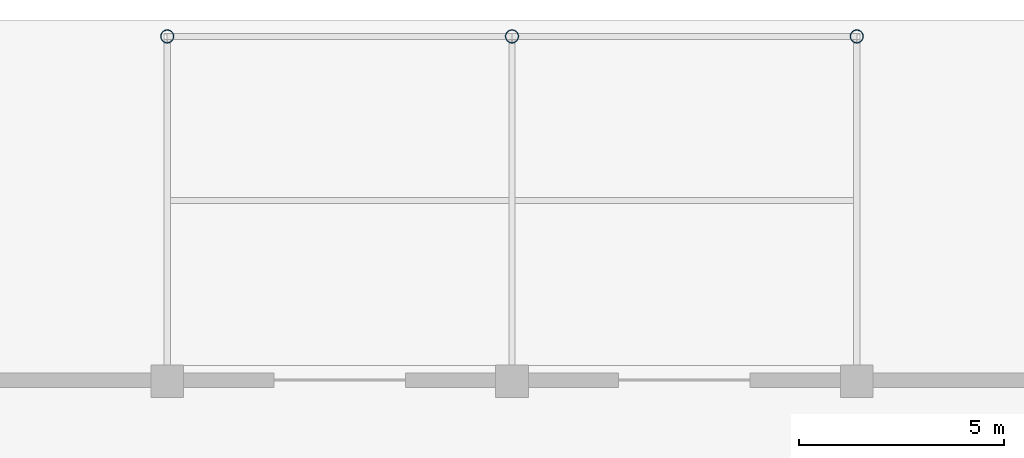
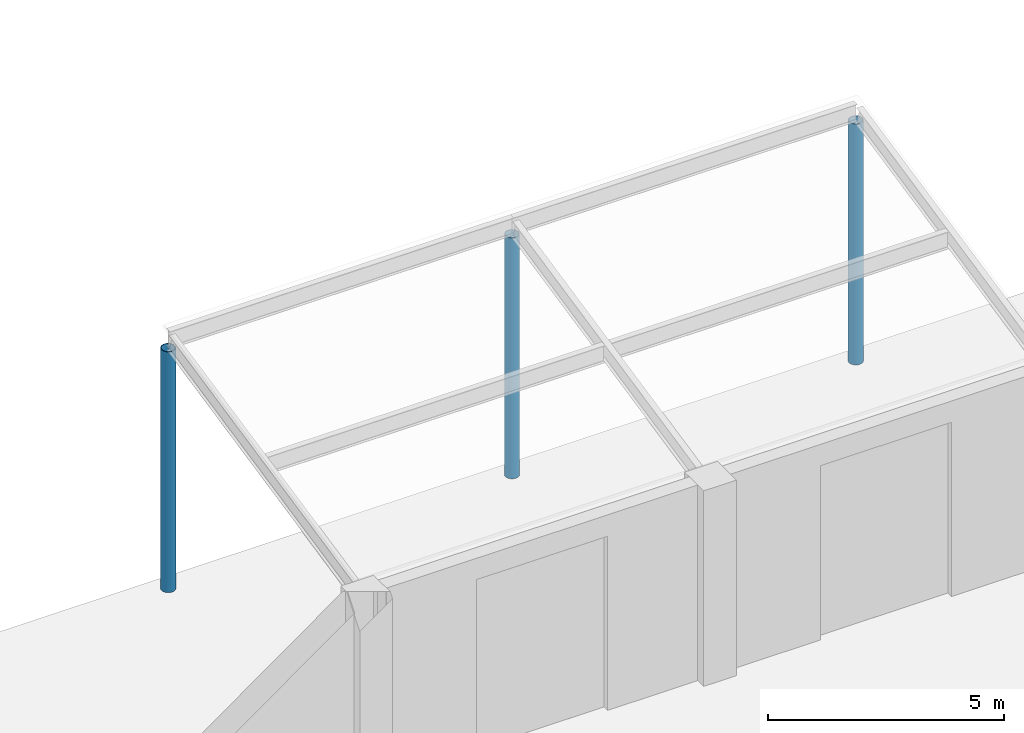
# One storey, part 12 of 76: 3 columns.
"""IFC4 building model written with IfcOpenShell, lengths in metres."""

from ifc_helpers import new_model, si_unit, direction, frame, origin, origin_2d, place, context, subcontext, project, spatial, hollow_circle, extrude, material, material_profile, profile_set, type_object, element, save


model = new_model("IFC4")

# Units and contexts
model_context = context("Model", 3, precision=1e-05, world=origin(), true_north=direction((0.0, 1.0)))
body_context = subcontext(model_context, "Body", "Model", "MODEL_VIEW")
ifc_project = project(units=[si_unit("LENGTHUNIT", "METRE"), si_unit("AREAUNIT", "SQUARE_METRE"), si_unit("VOLUMEUNIT", "CUBIC_METRE"), si_unit("PLANEANGLEUNIT", "RADIAN"), si_unit("MASSUNIT", "GRAM", prefix="KILO")], contexts=[model_context])

# Site, building, storey
site_placement = place(None, origin())
site = spatial("IfcSite", under=ifc_project, at=site_placement, CompositionType="ELEMENT")
building_placement = place(site_placement, origin())
building = spatial("IfcBuilding", under=site, at=building_placement, Name="Hlaing Beacon Police Headquarters", CompositionType="ELEMENT")
storey_placement = place(building_placement, origin())
storey = spatial("IfcBuildingStorey", under=building, at=storey_placement, Name="L00", CompositionType="ELEMENT", Elevation=0.0)

# Columns
ifc_material = material(Name="Steel ASTM A500 Grade C", Category="steel")
ifc_material_profile = material_profile(ifc_material, hollow_circle(Radius=0.161865234375, WallThickness=0.0126953125, at=origin_2d()), Name="HSS12.750x0.500")
ifc_profile_set = profile_set([ifc_material_profile], Name="Steel ASTM A500 Grade C")
column_type = type_object("IfcColumnType", Name="Canopy column HSS12.750x0.500", PredefinedType="COLUMN", material=ifc_profile_set)
for number, where, z_axis, x_axis, name in (
    (1, (100.800048828125, 100.800048828125, 0.0), (0.0, 0.0, 1.0), (1.0, 0.0, 0.0), "Sally port canopy column 1"),
    (2, (109.199951171875, 100.800048828125, 0.0), (0.0, 0.0, 1.0), (1.0, 0.0, 0.0), "Sally port canopy column 2"),
    (3, (117.60009765625, 100.800048828125, 0.0), (0.0, 0.0, 1.0), (1.0, 0.0, 0.0), "Sally port canopy column 3"),
):
    element("IfcColumn", number, at=place(storey_placement, frame(where, z_axis=z_axis, x_axis=x_axis)), inside=storey, type_object=column_type, Name=name, PredefinedType="COLUMN", context=body_context, shape_type="SweptSolid", body=[
        extrude(hollow_circle(Radius=0.161865234375, WallThickness=0.0126953125, at=origin_2d()), origin(), (0.0, 0.0, 1.0), 6.2197265625),
    ])

save(model, "model.ifc")
